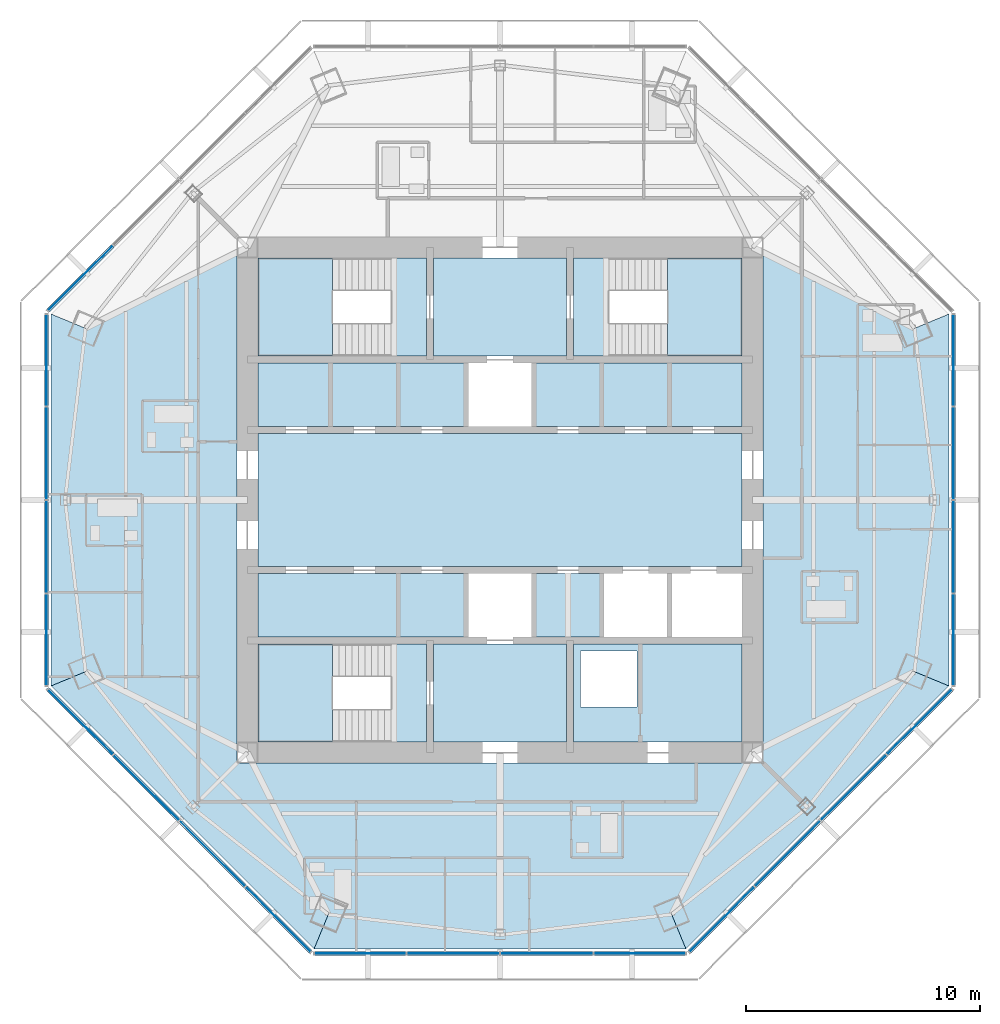
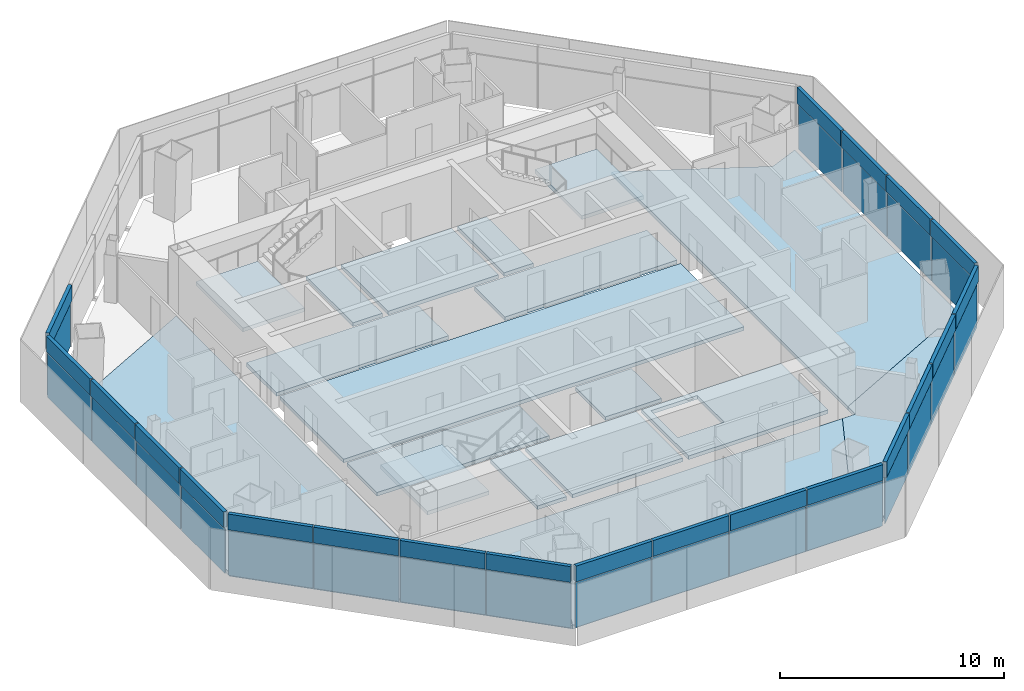
# One storey, part 7 of 15: 42 plates, 19 slabs, 9 elements without a shape of their own.
"""IFC4 building model written with IfcOpenShell, lengths in metres."""

from ifc_helpers import new_model, si_unit, direction, frame, origin, origin_2d, place, context, subcontext, project, spatial, polyline, rectangle, outline, extrude, source, transform, mapped, material, layer, layer_set, type_object, type_shapes, element, aggregate, save


model = new_model("IFC4")

# Units and contexts
model_context = context("Model", 3, precision=1e-05, world=origin(), true_north=direction((0.0, 1.0)))
body_context = subcontext(model_context, "Body", "Model", "MODEL_VIEW")
ifc_project = project(units=[si_unit("LENGTHUNIT", "METRE"), si_unit("AREAUNIT", "SQUARE_METRE"), si_unit("VOLUMEUNIT", "CUBIC_METRE"), si_unit("PLANEANGLEUNIT", "RADIAN"), si_unit("MASSUNIT", "GRAM", prefix="KILO")], contexts=[model_context])

# Site, building, storey
site_placement = place(None, origin())
site = spatial("IfcSite", under=ifc_project, at=site_placement, CompositionType="ELEMENT")
building_placement = place(site_placement, origin())
building = spatial("IfcBuilding", under=site, at=building_placement, Name="Mashrafa Tower", CompositionType="ELEMENT")
storey_placement = place(building_placement, frame((0.0, 0.0, 304.800048828125)))
storey = spatial("IfcBuildingStorey", under=building, at=storey_placement, Name="L75", CompositionType="ELEMENT", Elevation=304.800048828125)

# Slabs
ifc_material_1 = material(Name="Concrete C35/45", Category="concrete")
ifc_layer_1 = layer(ifc_material_1, 0.199951171875)
ifc_layer_set_1 = layer_set([ifc_layer_1], Name="Floor slab 200")
slab_type_1 = type_object("IfcSlabType", Name="Floor slab 200", PredefinedType="FLOOR", material=ifc_layer_set_1)
slab_1_placement = place(storey_placement, frame((0.0, 0.0, -0.199951171875)))
element("IfcSlab", 1, at=slab_1_placement, inside=storey, type_object=slab_type_1, Name="Floor slab L75 east bay", PredefinedType="FLOOR", context=body_context, shape_type="SweptSolid", body=[
    extrude(outline(polyline([(19.1923828125, 7.94970703125), (19.1923828125, -7.94970703125), (19.1923828125, -7.94970703125), (17.7197265625, -7.33984375), (11.25, -10.574951171875), (11.25, 10.574951171875), (17.7197265625, 7.33984375), (19.1923828125, 7.94970703125), (19.1923828125, 7.94970703125)])), origin(), (0.0, 0.0, 1.0), 0.199951171875),
])
slab_2_placement = place(storey_placement, frame((0.0, 0.0, -0.199951171875)))
element("IfcSlab", 2, at=slab_2_placement, inside=storey, type_object=slab_type_1, Name="Floor slab L75 west bay", PredefinedType="FLOOR", context=body_context, shape_type="SweptSolid", body=[
    extrude(outline(polyline([(-19.1923828125, -7.94970703125), (-19.1923828125, 7.94970703125), (-19.1923828125, 7.94970703125), (-17.7197265625, 7.33984375), (-11.25, 10.574951171875), (-11.25, -10.574951171875), (-17.7197265625, -7.33984375), (-19.1923828125, -7.94970703125), (-19.1923828125, -7.94970703125)])), origin(), (0.0, 0.0, 1.0), 0.199951171875),
])
slab_3_placement = place(storey_placement, frame((0.0, 0.0, -0.199951171875)))
element("IfcSlab", 3, at=slab_3_placement, inside=storey, type_object=slab_type_1, Name="Floor slab L75 south-west bay", PredefinedType="FLOOR", context=body_context, shape_type="SweptSolid", body=[
    extrude(outline(polyline([(-19.1923828125, -7.94970703125), (-17.7197265625, -7.33984375), (-11.25, -10.574951171875), (-11.25, -11.25), (-10.574951171875, -11.25), (-7.33984375, -17.7197265625), (-7.94970703125, -19.1923828125), (-19.1923828125, -7.94970703125)])), origin(), (0.0, 0.0, 1.0), 0.199951171875),
])
slab_4_placement = place(storey_placement, frame((0.0, 0.0, -0.199951171875)))
element("IfcSlab", 4, at=slab_4_placement, inside=storey, type_object=slab_type_1, Name="Floor slab L75 south bay", PredefinedType="FLOOR", context=body_context, shape_type="SweptSolid", body=[
    extrude(outline(polyline([(-7.94970703125, -19.1923828125), (-7.94970703125, -19.1923828125), (-7.33984375, -17.7197265625), (-10.574951171875, -11.25), (10.574951171875, -11.25), (7.33984375, -17.7197265625), (7.94970703125, -19.1923828125), (7.94970703125, -19.1923828125), (-7.94970703125, -19.1923828125)])), origin(), (0.0, 0.0, 1.0), 0.199951171875),
])
slab_5_placement = place(storey_placement, frame((0.0, 0.0, -0.199951171875)))
element("IfcSlab", 5, at=slab_5_placement, inside=storey, type_object=slab_type_1, Name="Floor slab L75 south-east bay", PredefinedType="FLOOR", context=body_context, shape_type="SweptSolid", body=[
    extrude(outline(polyline([(7.94970703125, -19.1923828125), (7.33984375, -17.7197265625), (10.574951171875, -11.25), (11.25, -11.25), (11.25, -10.574951171875), (17.7197265625, -7.33984375), (19.1923828125, -7.94970703125), (7.94970703125, -19.1923828125)])), origin(), (0.0, 0.0, 1.0), 0.199951171875),
])
slab_6_placement = place(storey_placement, frame((0.0, 0.0, -0.199951171875)))
element("IfcSlab", 6, at=slab_6_placement, inside=storey, type_object=slab_type_1, Name="Core floor lift hall L75", PredefinedType="FLOOR", context=body_context, shape_type="SweptSolid", body=[
    extrude(outline(polyline([(-10.35009765625, 2.85009765625), (10.35009765625, 2.85009765625), (10.35009765625, -2.85009765625), (-10.35009765625, -2.85009765625), (-10.35009765625, 2.85009765625)])), origin(), (0.0, 0.0, 1.0), 0.199951171875),
])
slab_7_placement = place(storey_placement, frame((0.0, 0.0, -0.199951171875)))
element("IfcSlab", 7, at=slab_7_placement, inside=storey, type_object=slab_type_1, Name="Core floor riser and electrical band L75", PredefinedType="FLOOR", context=body_context, shape_type="SweptSolid", body=[
    extrude(outline(polyline([(10.35009765625, -6.14990234375), (10.35009765625, -10.35009765625), (3.14990234375, -10.35009765625), (3.14990234375, -6.14990234375), (10.35009765625, -6.14990234375)]), holes=[polyline([(3.449951171875, -8.85009765625), (5.85009765625, -8.85009765625), (5.85009765625, -6.449951171875), (3.449951171875, -6.449951171875), (3.449951171875, -8.85009765625)])]), origin(), (0.0, 0.0, 1.0), 0.199951171875),
])
slab_8_placement = place(storey_placement, frame((0.0, 0.0, -0.199951171875)))
element("IfcSlab", 8, at=slab_8_placement, inside=storey, type_object=slab_type_1, Name="Core floor lift cell L75", PredefinedType="FLOOR", context=body_context, shape_type="SweptSolid", body=[
    extrude(outline(polyline([(10.35009765625, 5.85009765625), (10.35009765625, 3.14990234375), (1.449951171875, 3.14990234375), (1.449951171875, 5.85009765625), (10.35009765625, 5.85009765625)])), origin(), (0.0, 0.0, 1.0), 0.199951171875),
])
slab_9_placement = place(storey_placement, frame((0.0, 0.0, -0.199951171875)))
element("IfcSlab", 9, at=slab_9_placement, inside=storey, type_object=slab_type_1, Name="Core floor lift cell L75", PredefinedType="FLOOR", context=body_context, shape_type="SweptSolid", body=[
    extrude(outline(polyline([(-1.449951171875, 3.14990234375), (-10.35009765625, 3.14990234375), (-10.35009765625, 5.85009765625), (-1.449951171875, 5.85009765625), (-1.449951171875, 3.14990234375)])), origin(), (0.0, 0.0, 1.0), 0.199951171875),
])
slab_10_placement = place(storey_placement, frame((0.0, 0.0, -0.199951171875)))
element("IfcSlab", 10, at=slab_10_placement, inside=storey, type_object=slab_type_1, Name="Core floor lift cell L75", PredefinedType="FLOOR", context=body_context, shape_type="SweptSolid", body=[
    extrude(outline(polyline([(-1.449951171875, -3.14990234375), (-1.449951171875, -5.85009765625), (-10.35009765625, -5.85009765625), (-10.35009765625, -3.14990234375), (-1.449951171875, -3.14990234375)])), origin(), (0.0, 0.0, 1.0), 0.199951171875),
])
slab_11_placement = place(storey_placement, frame((0.0, 0.0, -0.199951171875)))
element("IfcSlab", 11, at=slab_11_placement, inside=storey, type_object=slab_type_1, Name="Core floor fire-fighting lobby south L75", PredefinedType="FLOOR", context=body_context, shape_type="SweptSolid", body=[
    extrude(outline(polyline([(2.85009765625, -6.14990234375), (2.85009765625, -10.35009765625), (-2.85009765625, -10.35009765625), (-2.85009765625, -6.14990234375), (2.85009765625, -6.14990234375)])), origin(), (0.0, 0.0, 1.0), 0.199951171875),
])
slab_12_placement = place(storey_placement, frame((0.0, 0.0, -0.199951171875)))
element("IfcSlab", 12, at=slab_12_placement, inside=storey, type_object=slab_type_1, Name="Core floor fire-fighting lobby north L75", PredefinedType="FLOOR", context=body_context, shape_type="SweptSolid", body=[
    extrude(outline(polyline([(-2.85009765625, 10.35009765625), (2.85009765625, 10.35009765625), (2.85009765625, 6.14990234375), (-2.85009765625, 6.14990234375), (-2.85009765625, 10.35009765625)])), origin(), (0.0, 0.0, 1.0), 0.199951171875),
])
slab_13_placement = place(storey_placement, frame((0.0, 0.0, -0.199951171875)))
element("IfcSlab", 13, at=slab_13_placement, inside=storey, type_object=slab_type_1, Name="Core floor lift cell L75", PredefinedType="FLOOR", context=body_context, shape_type="SweptSolid", body=[
    extrude(outline(polyline([(4.35009765625, -3.14990234375), (4.35009765625, -5.85009765625), (1.449951171875, -5.85009765625), (1.449951171875, -3.14990234375), (4.35009765625, -3.14990234375)])), origin(), (0.0, 0.0, 1.0), 0.199951171875),
])

# Stair, slabs
ifc_material_2 = material(Name="Exit stair 1400")
stair_type = type_object("IfcStairType", Name="Exit stair 1400", PredefinedType="HALF_TURN_STAIR", material=ifc_material_2)
stair_1_placement = place(storey_placement, origin())
stair_1 = element("IfcStair", 14, at=stair_1_placement, inside=storey, type_object=stair_type, Name="Stair S1 L75", PredefinedType="HALF_TURN_STAIR")
ifc_material_3 = material(Name="Concrete C32/40", Category="concrete")
ifc_layer_2 = layer(ifc_material_3, 0.199951171875)
ifc_layer_set_2 = layer_set([ifc_layer_2], Name="Stair landing 200")
slab_type_2 = type_object("IfcSlabType", Name="Stair landing 200", PredefinedType="LANDING", material=ifc_layer_set_2)
slab_14_placement = place(storey_placement, frame((0.0, 0.0, -0.199951171875)))
slab_14 = element("IfcSlab", 15, at=slab_14_placement, type_object=slab_type_2, Name="S1 landing 1", PredefinedType="LANDING", context=body_context, shape_type="SweptSolid", body=[
    extrude(outline(polyline([(-4.659912109375, 6.14990234375), (-3.14990234375, 6.14990234375), (-3.14990234375, 10.35009765625), (-4.659912109375, 10.35009765625), (-4.659912109375, 6.14990234375)])), origin(), (0.0, 0.0, 1.0), 0.199951171875),
])
slab_15_placement = place(storey_placement, frame((0.0, 0.0, 1.5)))
slab_15 = element("IfcSlab", 16, at=slab_15_placement, type_object=slab_type_2, Name="S1 landing 2", PredefinedType="LANDING", context=body_context, shape_type="SweptSolid", body=[
    extrude(outline(polyline([(-10.35009765625, 6.14990234375), (-7.159912109375, 6.14990234375), (-7.159912109375, 10.35009765625), (-10.35009765625, 10.35009765625), (-10.35009765625, 6.14990234375)])), origin(), (0.0, 0.0, 1.0), 0.199951171875),
])
aggregate(stair_1, [slab_14, slab_15])

stair_2_placement = place(storey_placement, origin())
stair_2 = element("IfcStair", 17, at=stair_2_placement, inside=storey, type_object=stair_type, Name="Stair S2 L75", PredefinedType="HALF_TURN_STAIR")
slab_16_placement = place(storey_placement, frame((0.0, 0.0, -0.199951171875)))
slab_16 = element("IfcSlab", 18, at=slab_16_placement, type_object=slab_type_2, Name="S2 landing 1", PredefinedType="LANDING", context=body_context, shape_type="SweptSolid", body=[
    extrude(outline(polyline([(3.14990234375, 6.14990234375), (4.659912109375, 6.14990234375), (4.659912109375, 10.35009765625), (3.14990234375, 10.35009765625), (3.14990234375, 6.14990234375)])), origin(), (0.0, 0.0, 1.0), 0.199951171875),
])
slab_17_placement = place(storey_placement, frame((0.0, 0.0, 1.5)))
slab_17 = element("IfcSlab", 19, at=slab_17_placement, type_object=slab_type_2, Name="S2 landing 2", PredefinedType="LANDING", context=body_context, shape_type="SweptSolid", body=[
    extrude(outline(polyline([(7.159912109375, 6.14990234375), (10.35009765625, 6.14990234375), (10.35009765625, 10.35009765625), (7.159912109375, 10.35009765625), (7.159912109375, 6.14990234375)])), origin(), (0.0, 0.0, 1.0), 0.199951171875),
])
aggregate(stair_2, [slab_16, slab_17])

stair_3_placement = place(storey_placement, origin())
stair_3 = element("IfcStair", 20, at=stair_3_placement, inside=storey, type_object=stair_type, Name="Stair S3 L75", PredefinedType="HALF_TURN_STAIR")
slab_18_placement = place(storey_placement, frame((0.0, 0.0, -0.199951171875)))
slab_18 = element("IfcSlab", 21, at=slab_18_placement, type_object=slab_type_2, Name="S3 landing 1", PredefinedType="LANDING", context=body_context, shape_type="SweptSolid", body=[
    extrude(outline(polyline([(-4.659912109375, -10.35009765625), (-3.14990234375, -10.35009765625), (-3.14990234375, -6.14990234375), (-4.659912109375, -6.14990234375), (-4.659912109375, -10.35009765625)])), origin(), (0.0, 0.0, 1.0), 0.199951171875),
])
slab_19_placement = place(storey_placement, frame((0.0, 0.0, 1.5)))
slab_19 = element("IfcSlab", 22, at=slab_19_placement, type_object=slab_type_2, Name="S3 landing 2", PredefinedType="LANDING", context=body_context, shape_type="SweptSolid", body=[
    extrude(outline(polyline([(-10.35009765625, -10.35009765625), (-7.159912109375, -10.35009765625), (-7.159912109375, -6.14990234375), (-10.35009765625, -6.14990234375), (-10.35009765625, -10.35009765625)])), origin(), (0.0, 0.0, 1.0), 0.199951171875),
])
aggregate(stair_3, [slab_18, slab_19])

# Curtain wall, plates
ifc_material_4 = material(Name="Unitised aluminium curtain wall", Category="aluminium")
curtain_wall_type = type_object("IfcCurtainWallType", Name="Apartment curtain wall, zone 4 CW-D 160 deep", PredefinedType="NOTDEFINED", material=ifc_material_4)
curtain_wall_1_placement = place(storey_placement, origin())
curtain_wall_1 = element("IfcCurtainWall", 23, at=curtain_wall_1_placement, inside=storey, type_object=curtain_wall_type, Name="Apartment curtain wall, zone 4 L75 east", PredefinedType="NOTDEFINED")
ifc_material_5 = material(Name="Insulated double glazing, acoustic", Category="glass")
ifc_layer_3 = layer(ifc_material_5, 0.028076171875)
ifc_layer_set_3 = layer_set([ifc_layer_3], Name="Vision panel CW-D 28")
plate_type_1 = type_object("IfcPlateType", Name="Vision panel CW-D 28", PredefinedType="CURTAIN_PANEL", material=ifc_layer_set_3)
shared_shape_1 = source(origin(), body_context, "Body", "SweptSolid", [
    extrude(rectangle(XDim=3.90478515625, YDim=0.028076171875, at=origin_2d()), origin(), (0.0, 0.0, 1.0), 2.46240234375),
])
plate_1_placement = place(storey_placement, frame((19.392333984375, -5.97705078125, 0.0), z_axis=(0.0, 0.0, 1.0), x_axis=(0.0, 1.0, 0.0)))
plate_1 = element("IfcPlate", 24, at=plate_1_placement, type_object=plate_type_1, Name="CW-D vision panel 1", PredefinedType="CURTAIN_PANEL", context=body_context, shape_type="MappedRepresentation", body=[
    mapped(shared_shape_1, transform((0.0, 0.0, 0.0))),
])
plate_2_placement = place(storey_placement, frame((19.392333984375, 5.97705078125, 0.0), z_axis=(0.0, 0.0, 1.0), x_axis=(0.0, 1.0, 0.0)))
plate_2 = element("IfcPlate", 25, at=plate_2_placement, type_object=plate_type_1, Name="CW-D vision panel 4", PredefinedType="CURTAIN_PANEL", context=body_context, shape_type="MappedRepresentation", body=[
    mapped(shared_shape_1, transform((0.0, 0.0, 0.0))),
])

# Curtain wall, plate
curtain_wall_2_placement = place(storey_placement, origin())
curtain_wall_2 = element("IfcCurtainWall", 26, at=curtain_wall_2_placement, inside=storey, type_object=curtain_wall_type, Name="Apartment curtain wall, zone 4 L75 north-west", PredefinedType="NOTDEFINED")
plate_3_placement = place(storey_placement, frame((-17.93896484375, 9.486083984375, 0.0), z_axis=(0.0, 0.0, 1.0), x_axis=(-0.707106781187, -0.707106781187, 0.0)))
plate_3 = element("IfcPlate", 27, at=plate_3_placement, type_object=plate_type_1, Name="CW-D vision panel 4", PredefinedType="CURTAIN_PANEL", context=body_context, shape_type="MappedRepresentation", body=[
    mapped(shared_shape_1, transform((0.0, 0.0, 0.0))),
])

# Curtain wall, plates
curtain_wall_3_placement = place(storey_placement, origin())
curtain_wall_3 = element("IfcCurtainWall", 28, at=curtain_wall_3_placement, inside=storey, type_object=curtain_wall_type, Name="Apartment curtain wall, zone 4 L75 west", PredefinedType="NOTDEFINED")
plate_4_placement = place(storey_placement, frame((-19.392333984375, 5.97705078125, 0.0), z_axis=(0.0, 0.0, 1.0), x_axis=(0.0, -1.0, 0.0)))
plate_4 = element("IfcPlate", 29, at=plate_4_placement, type_object=plate_type_1, Name="CW-D vision panel 1", PredefinedType="CURTAIN_PANEL", context=body_context, shape_type="MappedRepresentation", body=[
    mapped(shared_shape_1, transform((0.0, 0.0, 0.0))),
])
plate_5_placement = place(storey_placement, frame((-19.392333984375, -5.97705078125, 0.0), z_axis=(0.0, 0.0, 1.0), x_axis=(0.0, -1.0, 0.0)))
plate_5 = element("IfcPlate", 30, at=plate_5_placement, type_object=plate_type_1, Name="CW-D vision panel 4", PredefinedType="CURTAIN_PANEL", context=body_context, shape_type="MappedRepresentation", body=[
    mapped(shared_shape_1, transform((0.0, 0.0, 0.0))),
])

curtain_wall_4_placement = place(storey_placement, origin())
curtain_wall_4 = element("IfcCurtainWall", 31, at=curtain_wall_4_placement, inside=storey, type_object=curtain_wall_type, Name="Apartment curtain wall, zone 4 L75 south-west", PredefinedType="NOTDEFINED")
plate_6_placement = place(storey_placement, frame((-17.93896484375, -9.486083984375, 0.0), z_axis=(0.0, 0.0, 1.0), x_axis=(0.707106781187, -0.707106781187, 0.0)))
plate_6 = element("IfcPlate", 32, at=plate_6_placement, type_object=plate_type_1, Name="CW-D vision panel 1", PredefinedType="CURTAIN_PANEL", context=body_context, shape_type="MappedRepresentation", body=[
    mapped(shared_shape_1, transform((0.0, 0.0, 0.0))),
])
plate_7_placement = place(storey_placement, frame((-9.486083984375, -17.93896484375, 0.0), z_axis=(0.0, 0.0, 1.0), x_axis=(0.707106781187, -0.707106781187, 0.0)))
plate_7 = element("IfcPlate", 33, at=plate_7_placement, type_object=plate_type_1, Name="CW-D vision panel 4", PredefinedType="CURTAIN_PANEL", context=body_context, shape_type="MappedRepresentation", body=[
    mapped(shared_shape_1, transform((0.0, 0.0, 0.0))),
])

curtain_wall_5_placement = place(storey_placement, origin())
curtain_wall_5 = element("IfcCurtainWall", 34, at=curtain_wall_5_placement, inside=storey, type_object=curtain_wall_type, Name="Apartment curtain wall, zone 4 L75 south", PredefinedType="NOTDEFINED")
plate_8_placement = place(storey_placement, frame((-5.97705078125, -19.392333984375, 0.0), z_axis=(0.0, 0.0, 1.0), x_axis=(1.0, 0.0, 0.0)))
plate_8 = element("IfcPlate", 35, at=plate_8_placement, type_object=plate_type_1, Name="CW-D vision panel 1", PredefinedType="CURTAIN_PANEL", context=body_context, shape_type="MappedRepresentation", body=[
    mapped(shared_shape_1, transform((0.0, 0.0, 0.0))),
])
plate_9_placement = place(storey_placement, frame((5.97705078125, -19.392333984375, 0.0), z_axis=(0.0, 0.0, 1.0), x_axis=(1.0, 0.0, 0.0)))
plate_9 = element("IfcPlate", 36, at=plate_9_placement, type_object=plate_type_1, Name="CW-D vision panel 4", PredefinedType="CURTAIN_PANEL", context=body_context, shape_type="MappedRepresentation", body=[
    mapped(shared_shape_1, transform((0.0, 0.0, 0.0))),
])

curtain_wall_6_placement = place(storey_placement, origin())
curtain_wall_6 = element("IfcCurtainWall", 37, at=curtain_wall_6_placement, inside=storey, type_object=curtain_wall_type, Name="Apartment curtain wall, zone 4 L75 south-east", PredefinedType="NOTDEFINED")
plate_10_placement = place(storey_placement, frame((9.486083984375, -17.93896484375, 0.0), z_axis=(0.0, 0.0, 1.0), x_axis=(0.707106781187, 0.707106781187, 0.0)))
plate_10 = element("IfcPlate", 38, at=plate_10_placement, type_object=plate_type_1, Name="CW-D vision panel 1", PredefinedType="CURTAIN_PANEL", context=body_context, shape_type="MappedRepresentation", body=[
    mapped(shared_shape_1, transform((0.0, 0.0, 0.0))),
])
plate_11_placement = place(storey_placement, frame((17.93896484375, -9.486083984375, 0.0), z_axis=(0.0, 0.0, 1.0), x_axis=(0.707106781187, 0.707106781187, 0.0)))
plate_11 = element("IfcPlate", 39, at=plate_11_placement, type_object=plate_type_1, Name="CW-D vision panel 4", PredefinedType="CURTAIN_PANEL", context=body_context, shape_type="MappedRepresentation", body=[
    mapped(shared_shape_1, transform((0.0, 0.0, 0.0))),
])

# Plate
ifc_material_6 = material(Name="Insulated bronze aluminium spandrel panel", Category="aluminium")
ifc_layer_4 = layer(ifc_material_6, 0.179931640625)
ifc_layer_set_4 = layer_set([ifc_layer_4], Name="Spandrel panel CW-D 180")
plate_type_2 = type_object("IfcPlateType", Name="Spandrel panel CW-D 180", PredefinedType="CURTAIN_PANEL", material=ifc_layer_set_4)
shared_shape_2 = source(origin(), body_context, "Body", "SweptSolid", [
    extrude(rectangle(XDim=3.90478515625, YDim=0.179931640625, at=origin_2d()), origin(), (0.0, 0.0, 1.0), 0.862548828125),
])
plate_12_placement = place(storey_placement, frame((19.392333984375, -5.97705078125, 2.53759765625), z_axis=(0.0, 0.0, 1.0), x_axis=(0.0, 1.0, 0.0)))
plate_12 = element("IfcPlate", 40, at=plate_12_placement, type_object=plate_type_2, Name="CW-D spandrel panel 1", PredefinedType="CURTAIN_PANEL", context=body_context, shape_type="MappedRepresentation", body=[
    mapped(shared_shape_2, transform((0.0, 0.0, 0.0))),
])

plate_13_placement = place(storey_placement, frame((19.392333984375, 5.97705078125, 2.53759765625), z_axis=(0.0, 0.0, 1.0), x_axis=(0.0, 1.0, 0.0)))
plate_13 = element("IfcPlate", 41, at=plate_13_placement, type_object=plate_type_2, Name="CW-D spandrel panel 4", PredefinedType="CURTAIN_PANEL", context=body_context, shape_type="MappedRepresentation", body=[
    mapped(shared_shape_2, transform((0.0, 0.0, 0.0))),
])

plate_14_placement = place(storey_placement, frame((-17.93896484375, 9.486083984375, 2.53759765625), z_axis=(0.0, 0.0, 1.0), x_axis=(-0.707106781187, -0.707106781187, 0.0)))
plate_14 = element("IfcPlate", 42, at=plate_14_placement, type_object=plate_type_2, Name="CW-D spandrel panel 4", PredefinedType="CURTAIN_PANEL", context=body_context, shape_type="MappedRepresentation", body=[
    mapped(shared_shape_2, transform((0.0, 0.0, 0.0))),
])

aggregate(curtain_wall_2, [plate_3, plate_14])

plate_15_placement = place(storey_placement, frame((-19.392333984375, 5.97705078125, 2.53759765625), z_axis=(0.0, 0.0, 1.0), x_axis=(0.0, -1.0, 0.0)))
plate_15 = element("IfcPlate", 43, at=plate_15_placement, type_object=plate_type_2, Name="CW-D spandrel panel 1", PredefinedType="CURTAIN_PANEL", context=body_context, shape_type="MappedRepresentation", body=[
    mapped(shared_shape_2, transform((0.0, 0.0, 0.0))),
])

plate_16_placement = place(storey_placement, frame((-19.392333984375, -5.97705078125, 2.53759765625), z_axis=(0.0, 0.0, 1.0), x_axis=(0.0, -1.0, 0.0)))
plate_16 = element("IfcPlate", 44, at=plate_16_placement, type_object=plate_type_2, Name="CW-D spandrel panel 4", PredefinedType="CURTAIN_PANEL", context=body_context, shape_type="MappedRepresentation", body=[
    mapped(shared_shape_2, transform((0.0, 0.0, 0.0))),
])

plate_17_placement = place(storey_placement, frame((-17.93896484375, -9.486083984375, 2.53759765625), z_axis=(0.0, 0.0, 1.0), x_axis=(0.707106781187, -0.707106781187, 0.0)))
plate_17 = element("IfcPlate", 45, at=plate_17_placement, type_object=plate_type_2, Name="CW-D spandrel panel 1", PredefinedType="CURTAIN_PANEL", context=body_context, shape_type="MappedRepresentation", body=[
    mapped(shared_shape_2, transform((0.0, 0.0, 0.0))),
])

plate_18_placement = place(storey_placement, frame((-9.486083984375, -17.93896484375, 2.53759765625), z_axis=(0.0, 0.0, 1.0), x_axis=(0.707106781187, -0.707106781187, 0.0)))
plate_18 = element("IfcPlate", 46, at=plate_18_placement, type_object=plate_type_2, Name="CW-D spandrel panel 4", PredefinedType="CURTAIN_PANEL", context=body_context, shape_type="MappedRepresentation", body=[
    mapped(shared_shape_2, transform((0.0, 0.0, 0.0))),
])

plate_19_placement = place(storey_placement, frame((-5.97705078125, -19.392333984375, 2.53759765625), z_axis=(0.0, 0.0, 1.0), x_axis=(1.0, 0.0, 0.0)))
plate_19 = element("IfcPlate", 47, at=plate_19_placement, type_object=plate_type_2, Name="CW-D spandrel panel 1", PredefinedType="CURTAIN_PANEL", context=body_context, shape_type="MappedRepresentation", body=[
    mapped(shared_shape_2, transform((0.0, 0.0, 0.0))),
])

plate_20_placement = place(storey_placement, frame((5.97705078125, -19.392333984375, 2.53759765625), z_axis=(0.0, 0.0, 1.0), x_axis=(1.0, 0.0, 0.0)))
plate_20 = element("IfcPlate", 48, at=plate_20_placement, type_object=plate_type_2, Name="CW-D spandrel panel 4", PredefinedType="CURTAIN_PANEL", context=body_context, shape_type="MappedRepresentation", body=[
    mapped(shared_shape_2, transform((0.0, 0.0, 0.0))),
])

plate_21_placement = place(storey_placement, frame((9.486083984375, -17.93896484375, 2.53759765625), z_axis=(0.0, 0.0, 1.0), x_axis=(0.707106781187, 0.707106781187, 0.0)))
plate_21 = element("IfcPlate", 49, at=plate_21_placement, type_object=plate_type_2, Name="CW-D spandrel panel 1", PredefinedType="CURTAIN_PANEL", context=body_context, shape_type="MappedRepresentation", body=[
    mapped(shared_shape_2, transform((0.0, 0.0, 0.0))),
])

plate_22_placement = place(storey_placement, frame((17.93896484375, -9.486083984375, 2.53759765625), z_axis=(0.0, 0.0, 1.0), x_axis=(0.707106781187, 0.707106781187, 0.0)))
plate_22 = element("IfcPlate", 50, at=plate_22_placement, type_object=plate_type_2, Name="CW-D spandrel panel 4", PredefinedType="CURTAIN_PANEL", context=body_context, shape_type="MappedRepresentation", body=[
    mapped(shared_shape_2, transform((0.0, 0.0, 0.0))),
])

shared_shape_3 = source(origin(), body_context, "Body", "SweptSolid", [
    extrude(rectangle(XDim=3.934814453125, YDim=0.028076171875, at=origin_2d()), origin(), (0.0, 0.0, 1.0), 2.46240234375),
])
type_shapes(plate_type_1, [shared_shape_1, shared_shape_3])
plate_23_placement = place(storey_placement, frame((19.392333984375, -1.997314453125, 0.0), z_axis=(0.0, 0.0, 1.0), x_axis=(0.0, 1.0, 0.0)))
plate_23 = element("IfcPlate", 51, at=plate_23_placement, type_object=plate_type_1, Name="CW-D vision panel 2", PredefinedType="CURTAIN_PANEL", context=body_context, shape_type="MappedRepresentation", body=[
    mapped(shared_shape_3, transform((0.0, 0.0, 0.0))),
])

plate_24_placement = place(storey_placement, frame((19.392333984375, 1.997314453125, 0.0), z_axis=(0.0, 0.0, 1.0), x_axis=(0.0, 1.0, 0.0)))
plate_24 = element("IfcPlate", 52, at=plate_24_placement, type_object=plate_type_1, Name="CW-D vision panel 3", PredefinedType="CURTAIN_PANEL", context=body_context, shape_type="MappedRepresentation", body=[
    mapped(shared_shape_3, transform((0.0, 0.0, 0.0))),
])

plate_25_placement = place(storey_placement, frame((-19.392333984375, 1.997314453125, 0.0), z_axis=(0.0, 0.0, 1.0), x_axis=(0.0, -1.0, 0.0)))
plate_25 = element("IfcPlate", 53, at=plate_25_placement, type_object=plate_type_1, Name="CW-D vision panel 2", PredefinedType="CURTAIN_PANEL", context=body_context, shape_type="MappedRepresentation", body=[
    mapped(shared_shape_3, transform((0.0, 0.0, 0.0))),
])

plate_26_placement = place(storey_placement, frame((-19.392333984375, -1.997314453125, 0.0), z_axis=(0.0, 0.0, 1.0), x_axis=(0.0, -1.0, 0.0)))
plate_26 = element("IfcPlate", 54, at=plate_26_placement, type_object=plate_type_1, Name="CW-D vision panel 3", PredefinedType="CURTAIN_PANEL", context=body_context, shape_type="MappedRepresentation", body=[
    mapped(shared_shape_3, transform((0.0, 0.0, 0.0))),
])

plate_27_placement = place(storey_placement, frame((-15.124755859375, -12.300048828125, 0.0), z_axis=(0.0, 0.0, 1.0), x_axis=(0.707106781187, -0.707106781187, 0.0)))
plate_27 = element("IfcPlate", 55, at=plate_27_placement, type_object=plate_type_1, Name="CW-D vision panel 2", PredefinedType="CURTAIN_PANEL", context=body_context, shape_type="MappedRepresentation", body=[
    mapped(shared_shape_3, transform((0.0, 0.0, 0.0))),
])

plate_28_placement = place(storey_placement, frame((-12.300048828125, -15.124755859375, 0.0), z_axis=(0.0, 0.0, 1.0), x_axis=(0.707106781187, -0.707106781187, 0.0)))
plate_28 = element("IfcPlate", 56, at=plate_28_placement, type_object=plate_type_1, Name="CW-D vision panel 3", PredefinedType="CURTAIN_PANEL", context=body_context, shape_type="MappedRepresentation", body=[
    mapped(shared_shape_3, transform((0.0, 0.0, 0.0))),
])

plate_29_placement = place(storey_placement, frame((-1.997314453125, -19.392333984375, 0.0), z_axis=(0.0, 0.0, 1.0), x_axis=(1.0, 0.0, 0.0)))
plate_29 = element("IfcPlate", 57, at=plate_29_placement, type_object=plate_type_1, Name="CW-D vision panel 2", PredefinedType="CURTAIN_PANEL", context=body_context, shape_type="MappedRepresentation", body=[
    mapped(shared_shape_3, transform((0.0, 0.0, 0.0))),
])

plate_30_placement = place(storey_placement, frame((1.997314453125, -19.392333984375, 0.0), z_axis=(0.0, 0.0, 1.0), x_axis=(1.0, 0.0, 0.0)))
plate_30 = element("IfcPlate", 58, at=plate_30_placement, type_object=plate_type_1, Name="CW-D vision panel 3", PredefinedType="CURTAIN_PANEL", context=body_context, shape_type="MappedRepresentation", body=[
    mapped(shared_shape_3, transform((0.0, 0.0, 0.0))),
])

plate_31_placement = place(storey_placement, frame((12.300048828125, -15.124755859375, 0.0), z_axis=(0.0, 0.0, 1.0), x_axis=(0.707106781187, 0.707106781187, 0.0)))
plate_31 = element("IfcPlate", 59, at=plate_31_placement, type_object=plate_type_1, Name="CW-D vision panel 2", PredefinedType="CURTAIN_PANEL", context=body_context, shape_type="MappedRepresentation", body=[
    mapped(shared_shape_3, transform((0.0, 0.0, 0.0))),
])

plate_32_placement = place(storey_placement, frame((15.124755859375, -12.300048828125, 0.0), z_axis=(0.0, 0.0, 1.0), x_axis=(0.707106781187, 0.707106781187, 0.0)))
plate_32 = element("IfcPlate", 60, at=plate_32_placement, type_object=plate_type_1, Name="CW-D vision panel 3", PredefinedType="CURTAIN_PANEL", context=body_context, shape_type="MappedRepresentation", body=[
    mapped(shared_shape_3, transform((0.0, 0.0, 0.0))),
])

shared_shape_4 = source(origin(), body_context, "Body", "SweptSolid", [
    extrude(rectangle(XDim=3.934814453125, YDim=0.179931640625, at=origin_2d()), origin(), (0.0, 0.0, 1.0), 0.862548828125),
])
type_shapes(plate_type_2, [shared_shape_2, shared_shape_4])
plate_33_placement = place(storey_placement, frame((19.392333984375, -1.997314453125, 2.53759765625), z_axis=(0.0, 0.0, 1.0), x_axis=(0.0, 1.0, 0.0)))
plate_33 = element("IfcPlate", 61, at=plate_33_placement, type_object=plate_type_2, Name="CW-D spandrel panel 2", PredefinedType="CURTAIN_PANEL", context=body_context, shape_type="MappedRepresentation", body=[
    mapped(shared_shape_4, transform((0.0, 0.0, 0.0))),
])

plate_34_placement = place(storey_placement, frame((19.392333984375, 1.997314453125, 2.53759765625), z_axis=(0.0, 0.0, 1.0), x_axis=(0.0, 1.0, 0.0)))
plate_34 = element("IfcPlate", 62, at=plate_34_placement, type_object=plate_type_2, Name="CW-D spandrel panel 3", PredefinedType="CURTAIN_PANEL", context=body_context, shape_type="MappedRepresentation", body=[
    mapped(shared_shape_4, transform((0.0, 0.0, 0.0))),
])

aggregate(curtain_wall_1, [plate_1, plate_12, plate_23, plate_33, plate_24, plate_34, plate_2, plate_13])

plate_35_placement = place(storey_placement, frame((-19.392333984375, 1.997314453125, 2.53759765625), z_axis=(0.0, 0.0, 1.0), x_axis=(0.0, -1.0, 0.0)))
plate_35 = element("IfcPlate", 63, at=plate_35_placement, type_object=plate_type_2, Name="CW-D spandrel panel 2", PredefinedType="CURTAIN_PANEL", context=body_context, shape_type="MappedRepresentation", body=[
    mapped(shared_shape_4, transform((0.0, 0.0, 0.0))),
])

plate_36_placement = place(storey_placement, frame((-19.392333984375, -1.997314453125, 2.53759765625), z_axis=(0.0, 0.0, 1.0), x_axis=(0.0, -1.0, 0.0)))
plate_36 = element("IfcPlate", 64, at=plate_36_placement, type_object=plate_type_2, Name="CW-D spandrel panel 3", PredefinedType="CURTAIN_PANEL", context=body_context, shape_type="MappedRepresentation", body=[
    mapped(shared_shape_4, transform((0.0, 0.0, 0.0))),
])

aggregate(curtain_wall_3, [plate_4, plate_15, plate_25, plate_35, plate_26, plate_36, plate_5, plate_16])

plate_37_placement = place(storey_placement, frame((-15.124755859375, -12.300048828125, 2.53759765625), z_axis=(0.0, 0.0, 1.0), x_axis=(0.707106781187, -0.707106781187, 0.0)))
plate_37 = element("IfcPlate", 65, at=plate_37_placement, type_object=plate_type_2, Name="CW-D spandrel panel 2", PredefinedType="CURTAIN_PANEL", context=body_context, shape_type="MappedRepresentation", body=[
    mapped(shared_shape_4, transform((0.0, 0.0, 0.0))),
])

plate_38_placement = place(storey_placement, frame((-12.300048828125, -15.124755859375, 2.53759765625), z_axis=(0.0, 0.0, 1.0), x_axis=(0.707106781187, -0.707106781187, 0.0)))
plate_38 = element("IfcPlate", 66, at=plate_38_placement, type_object=plate_type_2, Name="CW-D spandrel panel 3", PredefinedType="CURTAIN_PANEL", context=body_context, shape_type="MappedRepresentation", body=[
    mapped(shared_shape_4, transform((0.0, 0.0, 0.0))),
])

aggregate(curtain_wall_4, [plate_6, plate_17, plate_27, plate_37, plate_28, plate_38, plate_7, plate_18])

plate_39_placement = place(storey_placement, frame((-1.997314453125, -19.392333984375, 2.53759765625), z_axis=(0.0, 0.0, 1.0), x_axis=(1.0, 0.0, 0.0)))
plate_39 = element("IfcPlate", 67, at=plate_39_placement, type_object=plate_type_2, Name="CW-D spandrel panel 2", PredefinedType="CURTAIN_PANEL", context=body_context, shape_type="MappedRepresentation", body=[
    mapped(shared_shape_4, transform((0.0, 0.0, 0.0))),
])

plate_40_placement = place(storey_placement, frame((1.997314453125, -19.392333984375, 2.53759765625), z_axis=(0.0, 0.0, 1.0), x_axis=(1.0, 0.0, 0.0)))
plate_40 = element("IfcPlate", 68, at=plate_40_placement, type_object=plate_type_2, Name="CW-D spandrel panel 3", PredefinedType="CURTAIN_PANEL", context=body_context, shape_type="MappedRepresentation", body=[
    mapped(shared_shape_4, transform((0.0, 0.0, 0.0))),
])

aggregate(curtain_wall_5, [plate_8, plate_19, plate_29, plate_39, plate_30, plate_40, plate_9, plate_20])

plate_41_placement = place(storey_placement, frame((12.300048828125, -15.124755859375, 2.53759765625), z_axis=(0.0, 0.0, 1.0), x_axis=(0.707106781187, 0.707106781187, 0.0)))
plate_41 = element("IfcPlate", 69, at=plate_41_placement, type_object=plate_type_2, Name="CW-D spandrel panel 2", PredefinedType="CURTAIN_PANEL", context=body_context, shape_type="MappedRepresentation", body=[
    mapped(shared_shape_4, transform((0.0, 0.0, 0.0))),
])

plate_42_placement = place(storey_placement, frame((15.124755859375, -12.300048828125, 2.53759765625), z_axis=(0.0, 0.0, 1.0), x_axis=(0.707106781187, 0.707106781187, 0.0)))
plate_42 = element("IfcPlate", 70, at=plate_42_placement, type_object=plate_type_2, Name="CW-D spandrel panel 3", PredefinedType="CURTAIN_PANEL", context=body_context, shape_type="MappedRepresentation", body=[
    mapped(shared_shape_4, transform((0.0, 0.0, 0.0))),
])

aggregate(curtain_wall_6, [plate_10, plate_21, plate_31, plate_41, plate_32, plate_42, plate_11, plate_22])

save(model, "model.ifc")
